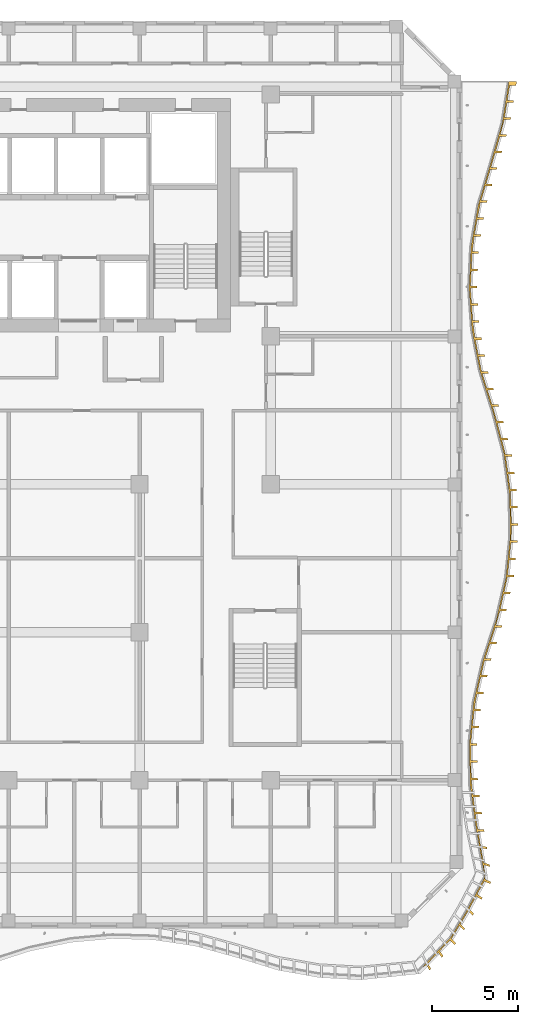
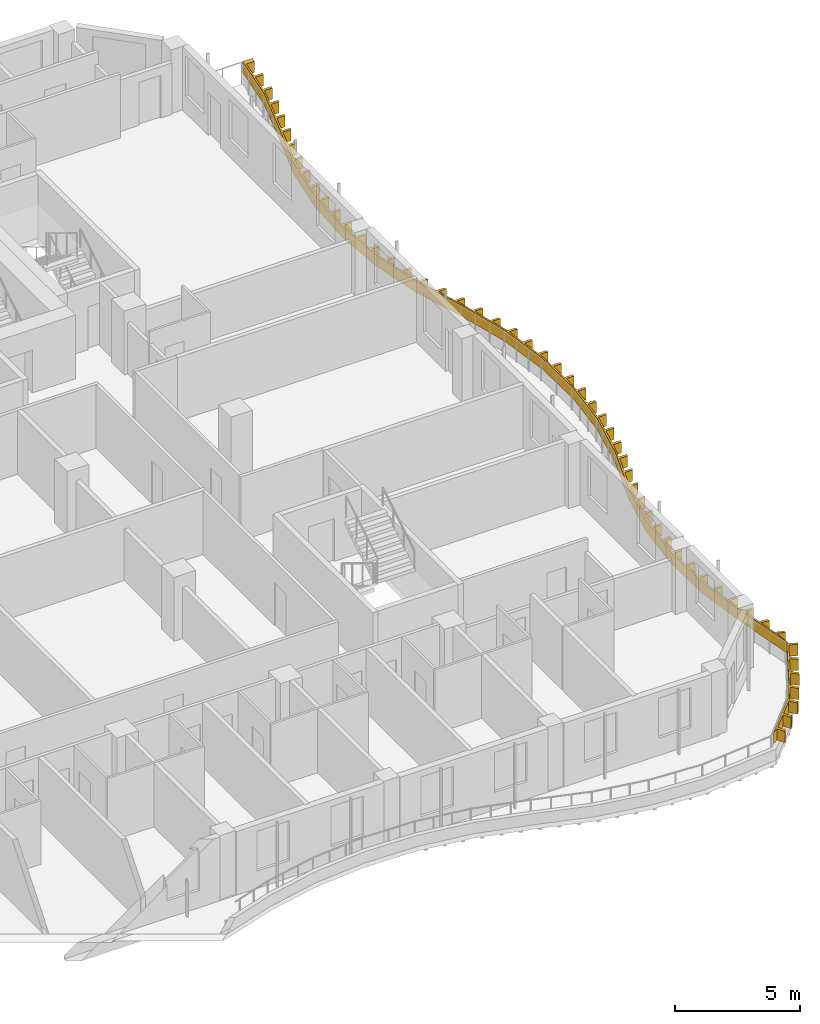
# One storey, part 19 of 22: 1 shading device.
"""IFC4 building model written with IfcOpenShell, lengths in metres."""

from ifc_helpers import new_model, si_unit, direction, frame, origin, place, context, subcontext, project, spatial, polyline, outline, extrude, source, transform, mapped, material, layer, layer_set, type_object, element, save


model = new_model("IFC4")

# Units and contexts
model_context = context("Model", 3, precision=1e-05, world=origin(), true_north=direction((0.0, 1.0)))
body_context = subcontext(model_context, "Body", "Model", "MODEL_VIEW")
ifc_project = project(units=[si_unit("LENGTHUNIT", "METRE"), si_unit("AREAUNIT", "SQUARE_METRE"), si_unit("VOLUMEUNIT", "CUBIC_METRE"), si_unit("PLANEANGLEUNIT", "RADIAN"), si_unit("MASSUNIT", "GRAM", prefix="KILO")], contexts=[model_context])

# Site, building, storey
site_placement = place(None, origin())
site = spatial("IfcSite", under=ifc_project, at=site_placement, CompositionType="ELEMENT")
building_placement = place(site_placement, origin())
building = spatial("IfcBuilding", under=site, at=building_placement, Name="Kilnfold Tower and Market Hall", CompositionType="ELEMENT")
storey_placement = place(building_placement, frame((0.0, 0.0, 206.699951171875)))
storey = spatial("IfcBuildingStorey", under=building, at=storey_placement, Name="L50", CompositionType="ELEMENT", Elevation=206.699951171875)

# Shading device
ifc_material = material(Name="Bronze anodised aluminium", Category="aluminium")
ifc_layer = layer(ifc_material, 0.550048828125)
ifc_layer_set = layer_set([ifc_layer], Name="Bronze anodised aluminium")
shading_device_type = type_object("IfcShadingDeviceType", Name="BRONZE SLAT FASCIA 550", PredefinedType="USERDEFINED", material=ifc_layer_set)
shared_shape = source(origin(), body_context, "Body", "SweptSolid", [
    extrude(outline(polyline([(29.353759765625, -28.6923828125), (29.186279296875, -28.3662109375), (28.9296875, -28.52978515625), (30.603271484375, -26.769775390625), (31.477783203125, -25.31103515625), (32.56298828125, -23.2939453125), (32.0390625, -20.355224609375), (31.70947265625, -17.96044921875), (31.667724609375, -15.56591796875), (31.912353515625, -13.171142578125), (32.45361328125, -10.7763671875), (33.235107421875, -8.381591796875), (33.781494140625, -5.98681640625), (34.030517578125, -3.592041015625), (33.993408203125, -1.197509765625), (33.668701171875, 1.197509765625), (33.04150390625, 3.592041015625), (32.283203125, 5.98681640625), (31.82080078125, 8.381591796875), (31.6513671875, 10.7763671875), (31.76708984375, 13.171142578125), (32.17333984375, 15.56591796875), (32.887939453125, 17.96044921875), (33.57470703125, 20.355224609375), (33.95458984375, 22.75), (34.40478515625, 22.75), (34.3681640625, 22.520263671875), (33.998291015625, 22.520263671875), (33.8603515625, 21.65087890625), (34.230224609375, 21.65087890625), (34.21142578125, 21.532470703125), (33.841552734375, 21.532470703125), (33.70361328125, 20.663330078125), (34.073486328125, 20.663330078125), (34.0546875, 20.544921875), (33.684814453125, 20.544921875), (33.465087890625, 19.69384765625), (33.8349609375, 19.69384765625), (33.802001953125, 19.57861328125), (33.431884765625, 19.57861328125), (33.189208984375, 18.732666015625), (33.559326171875, 18.732666015625), (33.5263671875, 18.6171875), (33.15625, 18.6171875), (32.91162109375, 17.77197265625), (33.28173828125, 17.77197265625), (33.247314453125, 17.656982421875), (32.877197265625, 17.656982421875), (32.625732421875, 16.813720703125), (32.99560546875, 16.813720703125), (32.96142578125, 16.69873046875), (32.59130859375, 16.69873046875), (32.33984375, 15.85546875), (32.709716796875, 15.85546875), (32.67529296875, 15.740478515625), (32.305419921875, 15.740478515625), (32.13671875, 14.8779296875), (32.506591796875, 14.8779296875), (32.486572265625, 14.759765625), (32.11669921875, 14.759765625), (31.969482421875, 13.89208984375), (32.33935546875, 13.89208984375), (32.3193359375, 13.773681640625), (31.94921875, 13.773681640625), (31.833984375, 12.902587890625), (32.2041015625, 12.902587890625), (32.1982421875, 12.78271484375), (31.828369140625, 12.78271484375), (31.785888671875, 11.90380859375), (32.15576171875, 11.90380859375), (32.14990234375, 11.783935546875), (31.780029296875, 11.783935546875), (31.737548828125, 10.905029296875), (32.107421875, 10.905029296875), (32.101806640625, 10.78515625), (31.731689453125, 10.78515625), (31.792724609375, 9.9072265625), (32.162841796875, 9.9072265625), (32.17138671875, 9.78759765625), (31.80126953125, 9.78759765625), (31.86328125, 8.909912109375), (32.2333984375, 8.909912109375), (32.241943359375, 8.7900390625), (31.871826171875, 8.7900390625), (31.989990234375, 7.919677734375), (32.360107421875, 7.919677734375), (32.3828125, 7.8017578125), (32.0126953125, 7.8017578125), (32.1796875, 6.937744140625), (32.549560546875, 6.937744140625), (32.572265625, 6.820068359375), (32.202392578125, 6.820068359375), (32.372802734375, 5.956787109375), (32.74267578125, 5.956787109375), (32.77880859375, 5.84228515625), (32.408935546875, 5.84228515625), (32.674560546875, 5.00341796875), (33.044677734375, 5.00341796875), (33.080810546875, 4.88916015625), (32.710693359375, 4.88916015625), (32.9765625, 4.050048828125), (33.346435546875, 4.050048828125), (33.3828125, 3.935791015625), (33.0126953125, 3.935791015625), (33.253173828125, 3.089599609375), (33.623046875, 3.089599609375), (33.653564453125, 2.973388671875), (33.283447265625, 2.973388671875), (33.506591796875, 2.1220703125), (33.87646484375, 2.1220703125), (33.906982421875, 2.006103515625), (33.536865234375, 2.006103515625), (33.754638671875, 1.15380859375), (34.12451171875, 1.15380859375), (34.140625, 1.034912109375), (33.770751953125, 1.034912109375), (33.888916015625, 0.162841796875), (34.259033203125, 0.162841796875), (34.275146484375, 0.0439453125), (33.905029296875, 0.0439453125), (34.0234375, -0.828125), (34.393310546875, -0.828125), (34.409423828125, -0.947021484375), (34.03955078125, -0.947021484375), (34.083251953125, -1.82470703125), (34.453125, -1.82470703125), (34.455078125, -1.944580078125), (34.0849609375, -1.944580078125), (34.0986328125, -2.824462890625), (34.468505859375, -2.824462890625), (34.470458984375, -2.944580078125), (34.1005859375, -2.944580078125), (34.08642578125, -3.8232421875), (34.45654296875, -3.8232421875), (34.444091796875, -3.942626953125), (34.073974609375, -3.942626953125), (33.98291015625, -4.81787109375), (34.35302734375, -4.81787109375), (34.340576171875, -4.937255859375), (33.970703125, -4.937255859375), (33.87939453125, -5.8125), (34.24951171875, -5.8125), (34.237060546875, -5.931884765625), (33.8671875, -5.931884765625), (33.677978515625, -6.791015625), (34.048095703125, -6.791015625), (34.021240234375, -6.907958984375), (33.6513671875, -6.907958984375), (33.45556640625, -7.765869140625), (33.82568359375, -7.765869140625), (33.798828125, -7.8828125), (33.428955078125, -7.8828125), (33.20068359375, -8.731689453125), (33.57080078125, -8.731689453125), (33.53369140625, -8.845947265625), (33.16357421875, -8.845947265625), (32.890625, -9.6826171875), (33.260498046875, -9.6826171875), (33.223388671875, -9.796630859375), (32.853271484375, -9.796630859375), (32.580322265625, -10.633056640625), (32.9501953125, -10.633056640625), (32.9130859375, -10.747314453125), (32.543212890625, -10.747314453125), (32.34619140625, -11.604736328125), (32.71630859375, -11.604736328125), (32.68994140625, -11.721923828125), (32.31982421875, -11.721923828125), (32.1259765625, -12.580078125), (32.495849609375, -12.580078125), (32.469482421875, -12.697265625), (32.099365234375, -12.697265625), (31.952392578125, -13.563232421875), (32.322265625, -13.563232421875), (32.31005859375, -13.6826171875), (31.940185546875, -13.6826171875), (31.8505859375, -14.55810546875), (32.220703125, -14.55810546875), (32.20849609375, -14.677490234375), (31.83837890625, -14.677490234375), (31.7490234375, -15.552978515625), (32.119140625, -15.552978515625), (32.11962890625, -15.6728515625), (31.749755859375, -15.6728515625), (31.764892578125, -16.552734375), (32.135009765625, -16.552734375), (32.136962890625, -16.672607421875), (31.76708984375, -16.672607421875), (31.7822265625, -17.552490234375), (32.15234375, -17.552490234375), (32.154296875, -17.672607421875), (31.784423828125, -17.672607421875), (31.8701171875, -18.547119140625), (32.239990234375, -18.547119140625), (32.256591796875, -18.665771484375), (31.886474609375, -18.665771484375), (32.006591796875, -19.53759765625), (32.37646484375, -19.53759765625), (32.392822265625, -19.656494140625), (32.022705078125, -19.656494140625), (32.148193359375, -20.52490234375), (32.51708984375, -20.532958984375), (32.5361328125, -20.655029296875), (32.168212890625, -20.641357421875), (32.31591796875, -21.49560546875), (32.67724609375, -21.55029296875), (32.6962890625, -21.67236328125), (32.336181640625, -21.612060546875), (32.485595703125, -22.46630859375), (32.83740234375, -22.567626953125), (32.856689453125, -22.689697265625), (32.506103515625, -22.5830078125), (32.58203125, -23.425048828125), (32.92041015625, -23.572998046875), (32.860595703125, -23.6826171875), (32.52587890625, -23.528564453125), (32.114990234375, -24.286865234375), (32.4208984375, -24.486083984375), (32.361083984375, -24.595703125), (32.05908203125, -24.39013671875), (31.650634765625, -25.150146484375), (31.92138671875, -25.399658203125), (31.861572265625, -25.50927734375), (31.59521484375, -25.25390625), (31.1494140625, -26.009521484375), (31.410888671875, -26.271240234375), (31.349365234375, -26.374267578125), (31.087646484375, -26.112548828125), (30.627197265625, -26.860107421875), (30.88671875, -27.123291015625), (30.800048828125, -27.212158203125), (30.54541015625, -26.9453125), (29.946533203125, -27.569580078125), (30.163818359375, -27.863525390625), (30.076904296875, -27.952392578125), (29.864990234375, -27.65478515625), (29.267578125, -28.280517578125), (29.4404296875, -28.603759765625), (29.353759765625, -28.6923828125)])), origin(), (0.0, 0.0, 1.0), 0.550048828125),
])
shading_device_placement = place(storey_placement, frame((0.0, 0.0, 0.550048828125)))
element("IfcShadingDevice", 1, at=shading_device_placement, inside=storey, type_object=shading_device_type, Name="Balcony slat fascia L50", ObjectType="SLAT", PredefinedType="USERDEFINED", context=body_context, shape_type="MappedRepresentation", body=[
    mapped(shared_shape, transform((0.0, 0.0, 0.0))),
])

save(model, "model.ifc")
